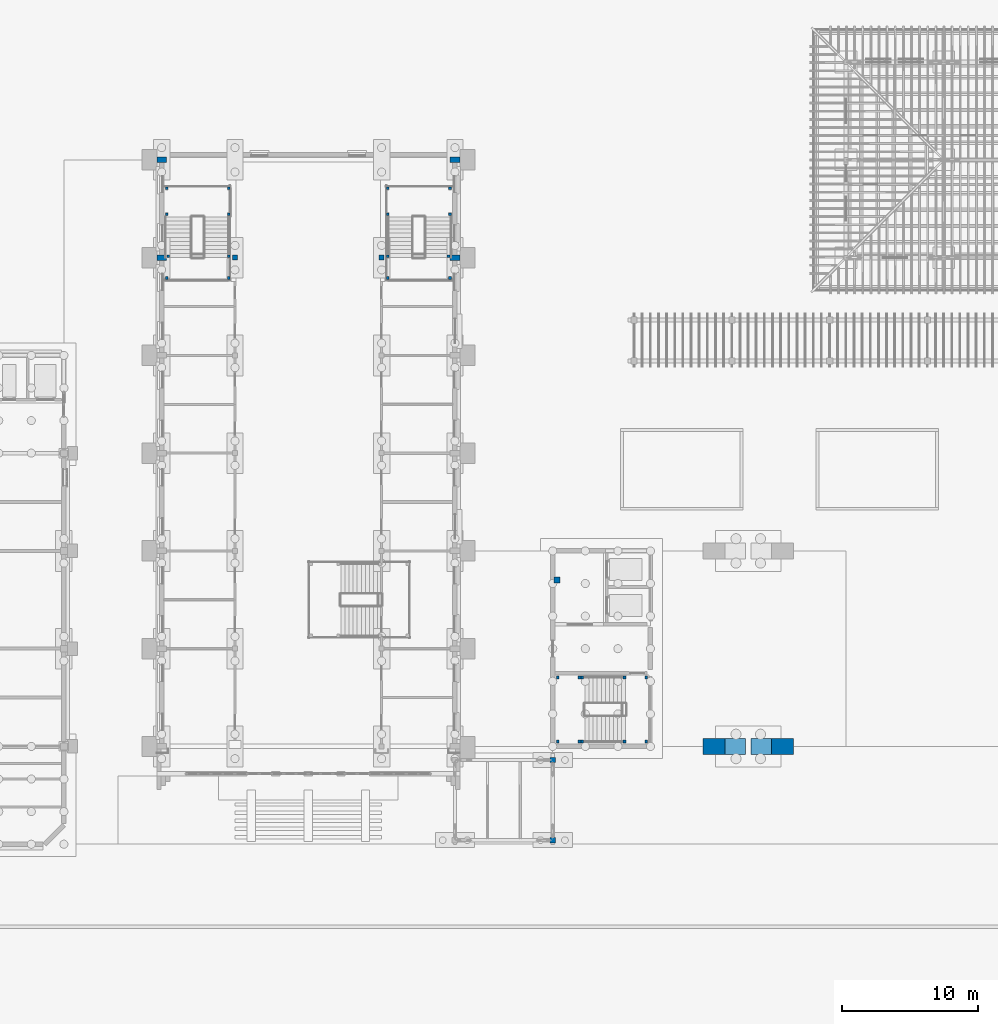
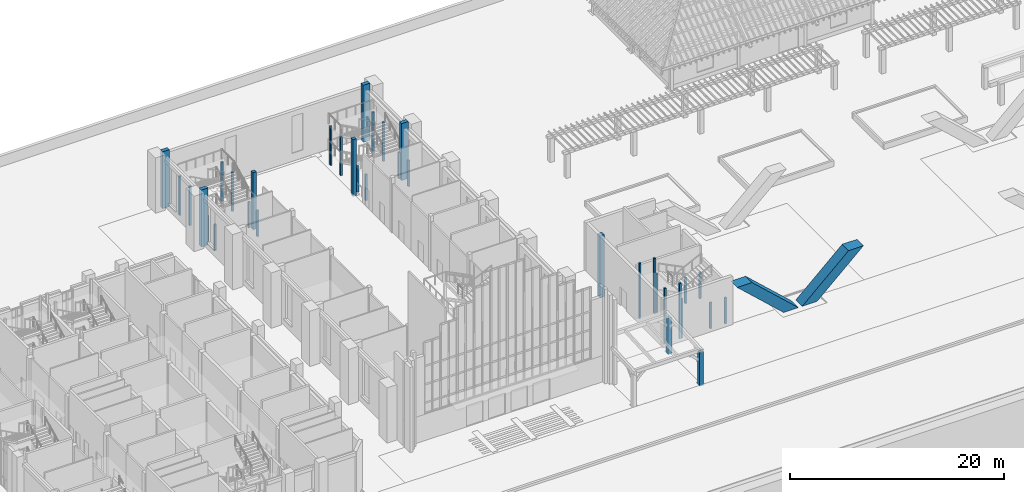
# One storey, part 5 of 84: 37 columns.
"""IFC4 building model written with IfcOpenShell, lengths in metres."""

from ifc_helpers import new_model, si_unit, direction, frame, origin, origin_2d, place, context, subcontext, project, spatial, rectangle, extrude, material, material_profile, profile_set, type_object, element, save


model = new_model("IFC4")

# Units and contexts
model_context = context("Model", 3, precision=1e-05, world=origin(), true_north=direction((0.0, 1.0)))
body_context = subcontext(model_context, "Body", "Model", "MODEL_VIEW")
ifc_project = project(units=[si_unit("LENGTHUNIT", "METRE"), si_unit("AREAUNIT", "SQUARE_METRE"), si_unit("VOLUMEUNIT", "CUBIC_METRE"), si_unit("PLANEANGLEUNIT", "RADIAN"), si_unit("MASSUNIT", "GRAM", prefix="KILO")], contexts=[model_context])

# Site, building, storey
site_placement = place(None, origin())
site = spatial("IfcSite", under=ifc_project, at=site_placement, CompositionType="ELEMENT")
building_placement = place(site_placement, origin())
building = spatial("IfcBuilding", under=site, at=building_placement, Name="Mazhai Court Health Centre", CompositionType="ELEMENT")
storey_placement = place(building_placement, origin())
storey = spatial("IfcBuildingStorey", under=building, at=storey_placement, Name="L00", CompositionType="ELEMENT", Elevation=0.0)

# Columns
ifc_material_1 = material(Name="Glulam GL28h", Category="wood")
ifc_material_profile_1 = material_profile(ifc_material_1, rectangle(XDim=0.360107421875, YDim=0.360107421875, at=origin_2d()), Name="GL28h 360x360")
ifc_profile_set_1 = profile_set([ifc_material_profile_1], Name="Glulam GL28h")
column_type_1 = type_object("IfcColumnType", Name="GL28h 360x360 column", PredefinedType="COLUMN", material=ifc_profile_set_1)
for number, where, z_axis, x_axis, name in (
    (1, (47.60009765625, 49.39990234375, -0.199951171875), (0.0, 0.0, 1.0), (1.0, 0.0, 0.0), "col-V1-L00-aW5"),
    (2, (58.39990234375, 49.39990234375, -0.199951171875), (0.0, 0.0, 1.0), (1.0, 0.0, 0.0), "col-V1-L00-aE5"),
):
    element("IfcColumn", number, at=place(storey_placement, frame(where, z_axis=z_axis, x_axis=x_axis)), inside=storey, type_object=column_type_1, Name=name, PredefinedType="COLUMN", context=body_context, shape_type="SweptSolid", body=[
        extrude(rectangle(XDim=0.360107421875, YDim=0.360107421875, at=origin_2d()), origin(), (0.0, 0.0, 1.0), 6.5),
    ])
ifc_material_2 = material(Name="Glulam GL28h", Category="wood")
ifc_material_profile_2 = material_profile(ifc_material_2, rectangle(XDim=0.39990234375, YDim=0.39990234375, at=origin_2d()), Name="GL28h 400x400")
ifc_profile_set_2 = profile_set([ifc_material_profile_2], Name="Glulam GL28h")
column_type_2 = type_object("IfcColumnType", Name="GL28h 400x400 column", PredefinedType="COLUMN", material=ifc_profile_set_2)
column_1_placement = place(storey_placement, frame((71.0, 6.5, -0.199951171875), z_axis=(0.0, 0.0, 1.0), x_axis=(1.0, 0.0, 0.0)))
element("IfcColumn", 3, at=column_1_placement, inside=storey, type_object=column_type_2, Name="col-AR-L00-f01", PredefinedType="COLUMN", context=body_context, shape_type="SweptSolid", body=[
    extrude(rectangle(XDim=0.39990234375, YDim=0.39990234375, at=origin_2d()), origin(), (0.0, 0.0, 1.0), 3.8056640625),
])
column_2_placement = place(storey_placement, frame((71.0, 12.39990234375, -0.199951171875), z_axis=(0.0, 0.0, 1.0), x_axis=(1.0, 0.0, 0.0)))
element("IfcColumn", 4, at=column_2_placement, inside=storey, type_object=column_type_2, Name="col-AR-L00-r01", PredefinedType="COLUMN", context=body_context, shape_type="SweptSolid", body=[
    extrude(rectangle(XDim=0.39990234375, YDim=0.39990234375, at=origin_2d()), origin(), (0.0, 0.0, 1.0), 4.13330078125),
])
ifc_material_3 = material(Name="Glulam GL28h", Category="wood")
ifc_material_profile_3 = material_profile(ifc_material_3, rectangle(XDim=0.39990234375, YDim=0.719970703125, at=origin_2d()), Name="GL28h 400x720")
ifc_profile_set_3 = profile_set([ifc_material_profile_3], Name="Glulam GL28h")
column_type_3 = type_object("IfcColumnType", Name="GL28h 400x720 column", PredefinedType="COLUMN", material=ifc_profile_set_3)
for number, where, z_axis, x_axis, name in (
    (5, (42.199951171875, 49.39990234375, -0.199951171875), (0.0, 0.0, 1.0), (0.0, 1.0, 0.0), "col-V1-L00-wW5"),
    (6, (63.800048828125, 49.39990234375, -0.199951171875), (0.0, 0.0, 1.0), (0.0, 1.0, 0.0), "col-V1-L00-wE5"),
    (7, (42.199951171875, 56.60009765625, -0.199951171875), (0.0, 0.0, 1.0), (0.0, 1.0, 0.0), "col-V1-L00-wW6"),
    (8, (63.800048828125, 56.60009765625, -0.199951171875), (0.0, 0.0, 1.0), (0.0, 1.0, 0.0), "col-V1-L00-wE6"),
):
    element("IfcColumn", number, at=place(storey_placement, frame(where, z_axis=z_axis, x_axis=x_axis)), inside=storey, type_object=column_type_3, Name=name, PredefinedType="COLUMN", context=body_context, shape_type="SweptSolid", body=[
        extrude(rectangle(XDim=0.39990234375, YDim=0.719970703125, at=origin_2d()), origin(), (0.0, 0.0, 1.0), 6.5),
    ])
ifc_material_4 = material(Name="Concrete M40", Category="concrete")
ifc_material_profile_4 = material_profile(ifc_material_4, rectangle(XDim=0.449951171875, YDim=0.449951171875, at=origin_2d()), Name="RC 450x450")
ifc_profile_set_4 = profile_set([ifc_material_profile_4], Name="Concrete M40")
column_type_4 = type_object("IfcColumnType", Name="RC COLUMN 450x450 M40", PredefinedType="COLUMN", material=ifc_profile_set_4)
column_3_placement = place(storey_placement, frame((71.330078125, 25.64501953125, -1.800048828125), z_axis=(0.0, 0.0, 1.0), x_axis=(1.0, 0.0, 0.0)))
element("IfcColumn", 9, at=column_3_placement, inside=storey, type_object=column_type_4, Name="col-BR-P2-floor-header-S", PredefinedType="COLUMN", context=body_context, shape_type="SweptSolid", body=[
    extrude(rectangle(XDim=0.449951171875, YDim=0.449951171875, at=origin_2d()), origin(), (0.0, 0.0, 1.0), 7.06005859375),
])
ifc_material_5 = material(Name="Concrete M40", Category="concrete")
ifc_material_profile_5 = material_profile(ifc_material_5, rectangle(XDim=0.199951171875, YDim=0.199951171875, at=origin_2d()), Name="RC 200x200")
ifc_profile_set_5 = profile_set([ifc_material_profile_5], Name="Concrete M40")
column_type_5 = type_object("IfcColumnType", Name="RC STAIR LANDING POST 200 M40", PredefinedType="COLUMN", material=ifc_profile_set_5)
for number, where, z_axis, x_axis, name in (
    (10, (71.3701171875, 13.760009765625, 0.0), (0.0, 0.0, 1.0), (1.0, 0.0, 0.0), "post-ST6-01"),
    (11, (71.3701171875, 18.47998046875, 0.0), (0.0, 0.0, 1.0), (1.0, 0.0, 0.0), "post-ST6-05"),
):
    element("IfcColumn", number, at=place(storey_placement, frame(where, z_axis=z_axis, x_axis=x_axis)), inside=storey, type_object=column_type_5, Name=name, PredefinedType="COLUMN", context=body_context, shape_type="SweptSolid", body=[
        extrude(rectangle(XDim=0.199951171875, YDim=0.199951171875, at=origin_2d()), origin(), (0.0, 0.0, 1.0), 6.300048828125),
    ])
for number, where, z_axis, x_axis, name in (
    (12, (73.169921875, 13.760009765625, 0.0), (0.0, 0.0, 1.0), (1.0, 0.0, 0.0), "post-ST6-09"),
    (13, (73.169921875, 18.47998046875, 0.0), (0.0, 0.0, 1.0), (1.0, 0.0, 0.0), "post-ST6-10"),
):
    element("IfcColumn", number, at=place(storey_placement, frame(where, z_axis=z_axis, x_axis=x_axis)), inside=storey, type_object=column_type_5, Name=name, PredefinedType="COLUMN", context=body_context, shape_type="SweptSolid", body=[
        extrude(rectangle(XDim=0.199951171875, YDim=0.199951171875, at=origin_2d()), origin(), (0.0, 0.0, 1.0), 4.449951171875),
    ])
for number, where, z_axis, x_axis, name in (
    (14, (76.280029296875, 13.760009765625, 0.0), (0.0, 0.0, 1.0), (1.0, 0.0, 0.0), "post-ST6-11"),
    (15, (76.280029296875, 18.47998046875, 0.0), (0.0, 0.0, 1.0), (1.0, 0.0, 0.0), "post-ST6-12"),
    (16, (77.8798828125, 13.760009765625, 0.0), (0.0, 0.0, 1.0), (1.0, 0.0, 0.0), "post-ST6-13"),
    (17, (77.8798828125, 18.47998046875, 0.0), (0.0, 0.0, 1.0), (1.0, 0.0, 0.0), "post-ST6-14"),
):
    element("IfcColumn", number, at=place(storey_placement, frame(where, z_axis=z_axis, x_axis=x_axis)), inside=storey, type_object=column_type_5, Name=name, PredefinedType="COLUMN", context=body_context, shape_type="SweptSolid", body=[
        extrude(rectangle(XDim=0.199951171875, YDim=0.199951171875, at=origin_2d()), origin(), (0.0, 0.0, 1.0), 2.949951171875),
    ])
for number, where, z_axis, x_axis, name in (
    (18, (72.969970703125, 13.760009765625, 0.0), (0.0, 0.0, 1.0), (1.0, 0.0, 0.0), "post-ST6-15"),
    (19, (72.969970703125, 18.47998046875, 0.0), (0.0, 0.0, 1.0), (1.0, 0.0, 0.0), "post-ST6-19"),
):
    element("IfcColumn", number, at=place(storey_placement, frame(where, z_axis=z_axis, x_axis=x_axis)), inside=storey, type_object=column_type_5, Name=name, PredefinedType="COLUMN", context=body_context, shape_type="SweptSolid", body=[
        extrude(rectangle(XDim=0.199951171875, YDim=0.199951171875, at=origin_2d()), origin(), (0.0, 0.0, 1.0), 6.300048828125),
    ])
for number, where, z_axis, x_axis, name in (
    (20, (42.570068359375, 52.60009765625, 0.0), (0.0, 0.0, 1.0), (1.0, 0.0, 0.0), "post-ST11-01"),
    (21, (42.570068359375, 54.5, 0.0), (0.0, 0.0, 1.0), (1.0, 0.0, 0.0), "post-ST11-02"),
    (22, (47.14990234375, 52.60009765625, 0.0), (0.0, 0.0, 1.0), (1.0, 0.0, 0.0), "post-ST11-03"),
    (23, (47.14990234375, 54.5, 0.0), (0.0, 0.0, 1.0), (1.0, 0.0, 0.0), "post-ST11-04"),
):
    element("IfcColumn", number, at=place(storey_placement, frame(where, z_axis=z_axis, x_axis=x_axis)), inside=storey, type_object=column_type_5, Name=name, PredefinedType="COLUMN", context=body_context, shape_type="SweptSolid", body=[
        extrude(rectangle(XDim=0.199951171875, YDim=0.199951171875, at=origin_2d()), origin(), (0.0, 0.0, 1.0), 4.449951171875),
    ])
for number, where, z_axis, x_axis, name in (
    (24, (42.570068359375, 47.89990234375, 0.0), (0.0, 0.0, 1.0), (1.0, 0.0, 0.0), "post-ST11-05"),
    (25, (42.679931640625, 49.5, 0.0), (0.0, 0.0, 1.0), (1.0, 0.0, 0.0), "post-ST11-06"),
    (26, (47.14990234375, 47.89990234375, 0.0), (0.0, 0.0, 1.0), (1.0, 0.0, 0.0), "post-ST11-07"),
    (27, (47.14990234375, 49.5, 0.0), (0.0, 0.0, 1.0), (1.0, 0.0, 0.0), "post-ST11-08"),
):
    element("IfcColumn", number, at=place(storey_placement, frame(where, z_axis=z_axis, x_axis=x_axis)), inside=storey, type_object=column_type_5, Name=name, PredefinedType="COLUMN", context=body_context, shape_type="SweptSolid", body=[
        extrude(rectangle(XDim=0.199951171875, YDim=0.199951171875, at=origin_2d()), origin(), (0.0, 0.0, 1.0), 2.949951171875),
    ])
for number, where, z_axis, x_axis, name in (
    (28, (58.85009765625, 52.60009765625, 0.0), (0.0, 0.0, 1.0), (1.0, 0.0, 0.0), "post-ST12-01"),
    (29, (58.85009765625, 54.5, 0.0), (0.0, 0.0, 1.0), (1.0, 0.0, 0.0), "post-ST12-02"),
    (30, (63.429931640625, 52.60009765625, 0.0), (0.0, 0.0, 1.0), (1.0, 0.0, 0.0), "post-ST12-03"),
    (31, (63.429931640625, 54.5, 0.0), (0.0, 0.0, 1.0), (1.0, 0.0, 0.0), "post-ST12-04"),
):
    element("IfcColumn", number, at=place(storey_placement, frame(where, z_axis=z_axis, x_axis=x_axis)), inside=storey, type_object=column_type_5, Name=name, PredefinedType="COLUMN", context=body_context, shape_type="SweptSolid", body=[
        extrude(rectangle(XDim=0.199951171875, YDim=0.199951171875, at=origin_2d()), origin(), (0.0, 0.0, 1.0), 4.449951171875),
    ])
for number, where, z_axis, x_axis, name in (
    (32, (58.85009765625, 47.89990234375, 0.0), (0.0, 0.0, 1.0), (1.0, 0.0, 0.0), "post-ST12-05"),
    (33, (58.85009765625, 49.5, 0.0), (0.0, 0.0, 1.0), (1.0, 0.0, 0.0), "post-ST12-06"),
    (34, (63.429931640625, 47.89990234375, 0.0), (0.0, 0.0, 1.0), (1.0, 0.0, 0.0), "post-ST12-07"),
    (35, (63.320068359375, 49.5, 0.0), (0.0, 0.0, 1.0), (1.0, 0.0, 0.0), "post-ST12-08"),
):
    element("IfcColumn", number, at=place(storey_placement, frame(where, z_axis=z_axis, x_axis=x_axis)), inside=storey, type_object=column_type_5, Name=name, PredefinedType="COLUMN", context=body_context, shape_type="SweptSolid", body=[
        extrude(rectangle(XDim=0.199951171875, YDim=0.199951171875, at=origin_2d()), origin(), (0.0, 0.0, 1.0), 2.949951171875),
    ])
ifc_material_6 = material(Name="Concrete M40", Category="concrete")
ifc_material_profile_6 = material_profile(ifc_material_6, rectangle(XDim=1.60009765625, YDim=1.199951171875, at=origin_2d()), Name="RC 1600x1200")
ifc_profile_set_6 = profile_set([ifc_material_profile_6], Name="Concrete M40")
column_type_6 = type_object("IfcColumnType", Name="RC V LEG 1600x1200 M40", PredefinedType="COLUMN", material=ifc_profile_set_6)
column_4_placement = place(storey_placement, frame((84.39990234375, 13.39990234375, -0.199951171875), z_axis=(0.0, 0.0, 1.0), x_axis=(1.0, 0.0, 0.0)))
element("IfcColumn", 36, at=column_4_placement, inside=storey, type_object=column_type_6, Name="col-LEG-WS-a", PredefinedType="COLUMN", context=body_context, shape_type="SweptSolid", body=[
    extrude(rectangle(XDim=1.60009765625, YDim=1.199951171875, at=origin_2d()), origin(), (-0.735941754699, 0.0, 0.677044853529), 6.7939453125),
])
column_5_placement = place(storey_placement, frame((86.39990234375, 13.39990234375, -0.199951171875), z_axis=(0.0, 0.0, 1.0), x_axis=(1.0, 0.0, 0.0)))
element("IfcColumn", 37, at=column_5_placement, inside=storey, type_object=column_type_6, Name="col-LEG-WS-b", PredefinedType="COLUMN", context=body_context, shape_type="SweptSolid", body=[
    extrude(rectangle(XDim=1.60009765625, YDim=1.199951171875, at=origin_2d()), origin(), (0.735941754699, 0.0, 0.677044853529), 6.7939453125),
])

save(model, "model.ifc")
